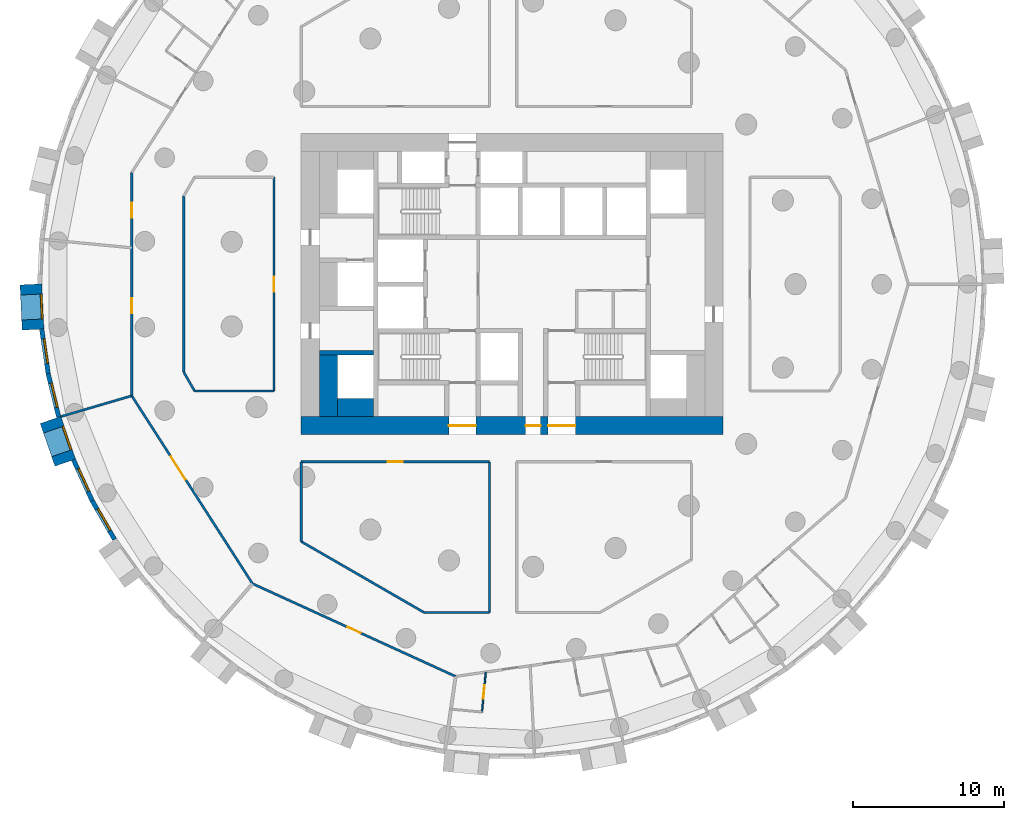
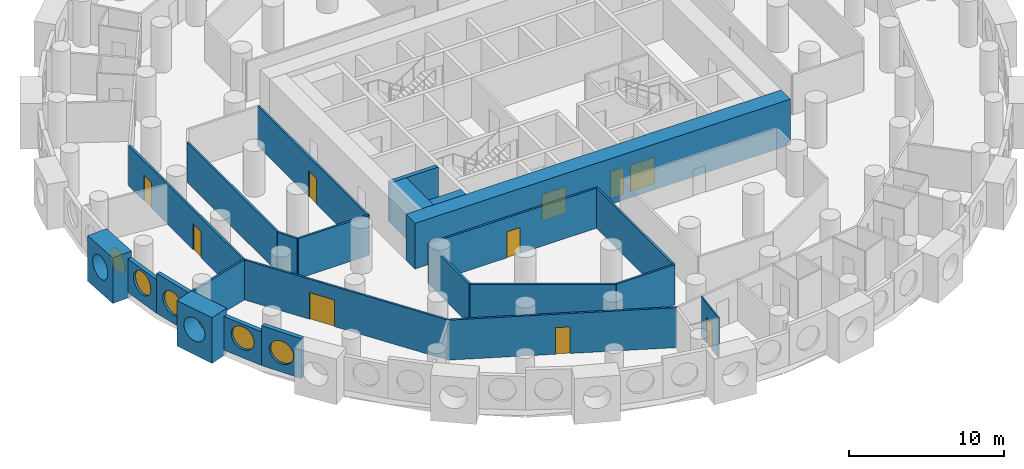
# One storey, part 3 of 11: 24 walls, 10 doors, 6 windows, 16 openings.
"""IFC4 building model written with IfcOpenShell, lengths in metres."""

from ifc_helpers import new_model, si_unit, direction, frame, frame_2d, origin, origin_2d, place, context, subcontext, project, spatial, rectangle, circle, extrude, material, layer, layer_set, type_object, element, fill, save


model = new_model("IFC4")

# Units and contexts
model_context = context("Model", 3, precision=1e-05, world=origin(), true_north=direction((0.0, 1.0)))
body_context = subcontext(model_context, "Body", "Model", "MODEL_VIEW")
ifc_project = project(units=[si_unit("LENGTHUNIT", "METRE"), si_unit("AREAUNIT", "SQUARE_METRE"), si_unit("VOLUMEUNIT", "CUBIC_METRE"), si_unit("PLANEANGLEUNIT", "RADIAN"), si_unit("MASSUNIT", "GRAM", prefix="KILO")], contexts=[model_context])

# Site, building, storey
site_placement = place(None, origin())
site = spatial("IfcSite", under=ifc_project, at=site_placement, CompositionType="ELEMENT")
building_placement = place(site_placement, origin())
building = spatial("IfcBuilding", under=site, at=building_placement, Name="Tracery Tower", CompositionType="ELEMENT")
storey_placement = place(building_placement, frame((0.0, 0.0, 96.60009765625)))
storey = spatial("IfcBuildingStorey", under=building, at=storey_placement, Name="L24", CompositionType="ELEMENT", Elevation=96.60009765625)

# Walls
ifc_material_1 = material(Name="Concrete C60/75", Category="concrete")
ifc_layer_1 = layer(ifc_material_1, 1.199951171875)
ifc_layer_set_1 = layer_set([ifc_layer_1], Name="Core strip wall 1200 C60")
wall_type_1 = type_object("IfcWallType", Name="Core strip wall 1200 C60", PredefinedType="SOLIDWALL", material=ifc_layer_set_1)
wall_1_placement = place(storey_placement, frame((-12.199951171875, -8.800048828125, 0.0), z_axis=(0.0, 0.0, 1.0), x_axis=(0.0, 1.0, 0.0)))
element("IfcWall", 1, at=wall_1_placement, inside=storey, type_object=wall_type_1, Name="L24 wing strip -1 -9.4", PredefinedType="SOLIDWALL", context=body_context, shape_type="SweptSolid", body=[
    extrude(rectangle(XDim=4.10009765625, YDim=1.199951171875, at=frame_2d((2.050048828125, 0.0))), origin(), (0.0, 0.0, 1.0), 3.14990234375),
])
wall_2_placement = place(storey_placement, frame((-11.60009765625, -8.199951171875, 0.0), z_axis=(0.0, 0.0, 1.0), x_axis=(1.0, 0.0, 0.0)))
element("IfcWall", 2, at=wall_2_placement, inside=storey, type_object=wall_type_1, Name="L24 wing corner -1 -8.2", PredefinedType="SOLIDWALL", context=body_context, shape_type="SweptSolid", body=[
    extrude(rectangle(XDim=2.400146484375, YDim=1.199951171875, at=frame_2d((1.2001953125, 0.0))), origin(), (0.0, 0.0, 1.0), 3.14990234375),
])

# Wall, openings, doors
ifc_material_2 = material(Name="Concrete C60/75", Category="concrete")
ifc_layer_2 = layer(ifc_material_2, 1.199951171875)
ifc_layer_set_2 = layer_set([ifc_layer_2], Name="Core wall 1200 C60")
wall_type_2 = type_object("IfcWallType", Name="Core wall 1200 C60", PredefinedType="SOLIDWALL", material=ifc_layer_set_2)
wall_3_placement = place(storey_placement, frame((-14.0, -9.39990234375, 0.0), z_axis=(0.0, 0.0, 1.0), x_axis=(1.0, 0.0, 0.0)))
wall_3 = element("IfcWall", 3, at=wall_3_placement, inside=storey, type_object=wall_type_2, Name="L24 outer S", PredefinedType="SOLIDWALL", context=body_context, shape_type="SweptSolid", body=[
    extrude(rectangle(XDim=28.0, YDim=1.199951171875, at=frame_2d((14.0, 0.0))), origin(), (0.0, 0.0, 1.0), 3.599853515625),
])
opening_1_placement = place(wall_3_placement, frame((14.89990234375, 0.0, 0.0)))
opening_1 = element("IfcOpeningElement", 4, at=opening_1_placement, cuts=wall_3, Name="Opening KD16", PredefinedType="OPENING", context=body_context, shape_type="SweptSolid", body=[
    extrude(rectangle(XDim=1.0, YDim=2.10009765625, at=frame_2d((0.5, 1.050048828125))), frame((0.0, 0.60009765625, 0.0), z_axis=(0.0, -1.0, 0.0), x_axis=(1.0, 0.0, 0.0)), (0.0, 0.0, 1.0), 1.199951171875),
])
opening_2_placement = place(wall_3_placement, frame((9.800048828125, 0.0, 0.0)))
opening_2 = element("IfcOpeningElement", 5, at=opening_2_placement, cuts=wall_3, Name="Opening KD13", PredefinedType="OPENING", context=body_context, shape_type="SweptSolid", body=[
    extrude(rectangle(XDim=1.800048828125, YDim=2.10009765625, at=frame_2d((0.89990234375, 1.050048828125))), frame((0.0, 0.60009765625, 0.0), z_axis=(0.0, -1.0, 0.0), x_axis=(1.0, 0.0, 0.0)), (0.0, 0.0, 1.0), 1.199951171875),
])
opening_3_placement = place(wall_3_placement, frame((16.39990234375, 0.0, 0.0)))
opening_3 = element("IfcOpeningElement", 6, at=opening_3_placement, cuts=wall_3, Name="Opening KD13", PredefinedType="OPENING", context=body_context, shape_type="SweptSolid", body=[
    extrude(rectangle(XDim=1.800048828125, YDim=2.10009765625, at=frame_2d((0.89990234375, 1.050048828125))), frame((0.0, 0.60009765625, 0.0), z_axis=(0.0, -1.0, 0.0), x_axis=(1.0, 0.0, 0.0)), (0.0, 0.0, 1.0), 1.199951171875),
])
ifc_material_3 = material(Name="Steel fire door", Category="steel")
door_type_1 = type_object("IfcDoorType", Name="Core exit door 1000", OperationType="NOTDEFINED", PredefinedType="DOOR", material=ifc_material_3)
door_1_placement = place(opening_1_placement, origin())
door_1 = element("IfcDoor", 7, at=door_1_placement, inside=storey, type_object=door_type_1, Name="Core exit door", OperationType="SINGLE_SWING_LEFT", OverallHeight=2.10009765625, OverallWidth=1.0, PredefinedType="DOOR", context=body_context, shape_type="SweptSolid", body=[
    extrude(rectangle(XDim=1.0, YDim=2.10009765625, at=frame_2d((0.5, 1.050048828125))), frame((0.0, 0.02490234375, 0.0), z_axis=(0.0, -1.0, 0.0), x_axis=(1.0, 0.0, 0.0)), (0.0, 0.0, 1.0), 0.050048828125),
])
fill(opening_1, door_1)
ifc_material_4 = material(Name="Steel fire door", Category="steel")
door_type_2 = type_object("IfcDoorType", Name="Core exit door 1800 double", OperationType="NOTDEFINED", PredefinedType="DOOR", material=ifc_material_4)
door_2_placement = place(opening_2_placement, origin())
door_2 = element("IfcDoor", 8, at=door_2_placement, inside=storey, type_object=door_type_2, Name="Core exit door", OperationType="DOUBLE_DOOR_SINGLE_SWING", OverallHeight=2.10009765625, OverallWidth=1.800048828125, PredefinedType="DOOR", context=body_context, shape_type="SweptSolid", body=[
    extrude(rectangle(XDim=1.800048828125, YDim=2.10009765625, at=frame_2d((0.89990234375, 1.050048828125))), frame((0.0, 0.02490234375, 0.0), z_axis=(0.0, -1.0, 0.0), x_axis=(1.0, 0.0, 0.0)), (0.0, 0.0, 1.0), 0.050048828125),
])
fill(opening_2, door_2)
door_3_placement = place(opening_3_placement, origin())
door_3 = element("IfcDoor", 9, at=door_3_placement, inside=storey, type_object=door_type_2, Name="Core exit door", OperationType="DOUBLE_DOOR_SINGLE_SWING", OverallHeight=2.10009765625, OverallWidth=1.800048828125, PredefinedType="DOOR", context=body_context, shape_type="SweptSolid", body=[
    extrude(rectangle(XDim=1.800048828125, YDim=2.10009765625, at=frame_2d((0.89990234375, 1.050048828125))), frame((0.0, 0.02490234375, 0.0), z_axis=(0.0, -1.0, 0.0), x_axis=(1.0, 0.0, 0.0)), (0.0, 0.0, 1.0), 0.050048828125),
])
fill(opening_3, door_3)

# Wall, opening, window
ifc_material_5 = material(Name="Precast concrete C50/60", Category="concrete")
ifc_layer_3 = layer(ifc_material_5, 1.449951171875)
ifc_layer_set_3 = layer_set([ifc_layer_3], Name="Deep-set bay unit 3000 x 3600, slab edge 450")
wall_type_3 = type_object("IfcWallType", Name="Deep-set bay unit 3000 x 3600, slab edge 450", PredefinedType="ELEMENTEDWALL", material=ifc_layer_set_3)
wall_4_placement = place(storey_placement, frame((-31.94921875, -0.020263671875, -0.4501953125), z_axis=(0.0, 0.0, 1.0), x_axis=(0.047607680889, -0.998866111509, 0.0)))
wall_4 = element("IfcWall", 10, at=wall_4_placement, inside=storey, type_object=wall_type_3, Name="Deep-set bay unit 34 at L24", PredefinedType="ELEMENTEDWALL", context=body_context, shape_type="SweptSolid", body=[
    extrude(rectangle(XDim=3.0, YDim=1.449951171875, at=frame_2d((1.5, 0.0))), origin(), (0.0, 0.0, 1.0), 3.60009765625),
])
opening_4_placement = place(wall_4_placement, frame((1.5, 0.0, 2.0)))
opening_4 = element("IfcOpeningElement", 11, at=opening_4_placement, cuts=wall_4, Name="Opening WN1", PredefinedType="OPENING", context=body_context, shape_type="SweptSolid", body=[
    extrude(circle(Radius=0.9000244140625, at=origin_2d()), frame((0.0, 0.73486328125, 0.0), z_axis=(0.0, -1.0, 0.0), x_axis=(1.0, 0.0, 0.0)), (0.0, 0.0, 1.0), 1.469970703125),
])
ifc_material_6 = material(Name="Aluminium frame with tinted double glazing", Category="aluminium")
window_type = type_object("IfcWindowType", Name="Round window 1800", PartitioningType="SINGLE_PANEL", PredefinedType="WINDOW", material=ifc_material_6)
window_1_placement = place(opening_4_placement, origin())
window_1 = element("IfcWindow", 12, at=window_1_placement, inside=storey, type_object=window_type, Name="Round window 34 at L24", OverallHeight=1.800048828125, OverallWidth=1.800048828125, PartitioningType="SINGLE_PANEL", PredefinedType="WINDOW", context=body_context, shape_type="SweptSolid", body=[
    extrude(circle(Radius=0.9000244140625, at=origin_2d()), frame((0.0, 0.69482421875, 0.0), z_axis=(0.0, -1.0, 0.0), x_axis=(1.0, 0.0, 0.0)), (0.0, 0.0, 1.0), 0.10009765625),
])
fill(opening_4, window_1)

wall_5_placement = place(storey_placement, frame((-30.649169921875, -9.0205078125, -0.4501953125), z_axis=(0.0, 0.0, 1.0), x_axis=(0.327071431777, -0.944999618262, 0.0)))
wall_5 = element("IfcWall", 13, at=wall_5_placement, inside=storey, type_object=wall_type_3, Name="Deep-set bay unit 37 at L24", PredefinedType="ELEMENTEDWALL", context=body_context, shape_type="SweptSolid", body=[
    extrude(rectangle(XDim=3.0, YDim=1.449951171875, at=frame_2d((1.5, 0.0))), origin(), (0.0, 0.0, 1.0), 3.60009765625),
])
opening_5_placement = place(wall_5_placement, frame((1.5, 0.0, 2.0)))
opening_5 = element("IfcOpeningElement", 14, at=opening_5_placement, cuts=wall_5, Name="Opening WN1", PredefinedType="OPENING", context=body_context, shape_type="SweptSolid", body=[
    extrude(circle(Radius=0.9000244140625, at=origin_2d()), frame((0.0, 0.73486328125, 0.0), z_axis=(0.0, -1.0, 0.0), x_axis=(1.0, 0.0, 0.0)), (0.0, 0.0, 1.0), 1.469970703125),
])
window_2_placement = place(opening_5_placement, origin())
window_2 = element("IfcWindow", 15, at=window_2_placement, inside=storey, type_object=window_type, Name="Round window 37 at L24", OverallHeight=1.800048828125, OverallWidth=1.800048828125, PartitioningType="SINGLE_PANEL", PredefinedType="WINDOW", context=body_context, shape_type="SweptSolid", body=[
    extrude(circle(Radius=0.9000244140625, at=origin_2d()), frame((0.0, 0.69482421875, 0.0), z_axis=(0.0, -1.0, 0.0), x_axis=(1.0, 0.0, 0.0)), (0.0, 0.0, 1.0), 0.10009765625),
])
fill(opening_5, window_2)

ifc_material_7 = material(Name="Precast concrete C50/60", Category="concrete")
ifc_layer_4 = layer(ifc_material_7, 0.300048828125)
ifc_layer_set_4 = layer_set([ifc_layer_4], Name="Facade panel 3000 x 2650")
wall_type_4 = type_object("IfcWallType", Name="Facade panel 3000 x 2650", PredefinedType="SOLIDWALL", material=ifc_layer_set_4)
wall_6_placement = place(storey_placement, frame((-31.2314453125, -2.98828125, 0.0), z_axis=(0.0, 0.0, 1.0), x_axis=(0.142315996627, -0.989821275334, 0.0)))
wall_6 = element("IfcWall", 16, at=wall_6_placement, inside=storey, type_object=wall_type_4, Name="Facade panel 35 at L24", PredefinedType="SOLIDWALL", context=body_context, shape_type="SweptSolid", body=[
    extrude(rectangle(XDim=2.979736328125, YDim=0.300048828125, at=frame_2d((1.48974609375, 0.0))), origin(), (0.0, 0.0, 1.0), 2.64990234375),
])
opening_6_placement = place(wall_6_placement, frame((1.48974609375, 0.0, 1.5498046875)))
opening_6 = element("IfcOpeningElement", 17, at=opening_6_placement, cuts=wall_6, Name="Opening WN1", PredefinedType="OPENING", context=body_context, shape_type="SweptSolid", body=[
    extrude(circle(Radius=0.9000244140625, at=origin_2d()), frame((0.0, 0.159912109375, 0.0), z_axis=(0.0, -1.0, 0.0), x_axis=(1.0, 0.0, 0.0)), (0.0, 0.0, 1.0), 0.320068359375),
])
window_3_placement = place(opening_6_placement, origin())
window_3 = element("IfcWindow", 18, at=window_3_placement, inside=storey, type_object=window_type, Name="Round window 35 at L24", OverallHeight=1.800048828125, OverallWidth=1.800048828125, PartitioningType="SINGLE_PANEL", PredefinedType="WINDOW", context=body_context, shape_type="SweptSolid", body=[
    extrude(circle(Radius=0.9000244140625, at=origin_2d()), frame((0.0, 0.1201171875, 0.0), z_axis=(0.0, -1.0, 0.0), x_axis=(1.0, 0.0, 0.0)), (0.0, 0.0, 1.0), 0.10009765625),
])
fill(opening_6, window_3)

wall_7_placement = place(storey_placement, frame((-29.12451171875, -11.666259765625, 0.0), z_axis=(0.0, 0.0, 1.0), x_axis=(0.415407317162, -0.909635509888, 0.0)))
wall_7 = element("IfcWall", 19, at=wall_7_placement, inside=storey, type_object=wall_type_4, Name="Facade panel 38 at L24", PredefinedType="SOLIDWALL", context=body_context, shape_type="SweptSolid", body=[
    extrude(rectangle(XDim=2.979736328125, YDim=0.300048828125, at=frame_2d((1.48974609375, 0.0))), origin(), (0.0, 0.0, 1.0), 2.64990234375),
])
opening_7_placement = place(wall_7_placement, frame((1.48974609375, 0.0, 1.5498046875)))
opening_7 = element("IfcOpeningElement", 20, at=opening_7_placement, cuts=wall_7, Name="Opening WN1", PredefinedType="OPENING", context=body_context, shape_type="SweptSolid", body=[
    extrude(circle(Radius=0.9000244140625, at=origin_2d()), frame((0.0, 0.159912109375, 0.0), z_axis=(0.0, -1.0, 0.0), x_axis=(1.0, 0.0, 0.0)), (0.0, 0.0, 1.0), 0.320068359375),
])
window_4_placement = place(opening_7_placement, origin())
window_4 = element("IfcWindow", 21, at=window_4_placement, inside=storey, type_object=window_type, Name="Round window 38 at L24", OverallHeight=1.800048828125, OverallWidth=1.800048828125, PartitioningType="SINGLE_PANEL", PredefinedType="WINDOW", context=body_context, shape_type="SweptSolid", body=[
    extrude(circle(Radius=0.9000244140625, at=origin_2d()), frame((0.0, 0.1201171875, 0.0), z_axis=(0.0, -1.0, 0.0), x_axis=(1.0, 0.0, 0.0)), (0.0, 0.0, 1.0), 0.10009765625),
])
fill(opening_7, window_4)

ifc_material_8 = material(Name="Precast concrete C50/60", Category="concrete")
ifc_layer_5 = layer(ifc_material_8, 0.300048828125)
ifc_layer_set_5 = layer_set([ifc_layer_5], Name="Facade panel 3000 x 3150")
wall_type_5 = type_object("IfcWallType", Name="Facade panel 3000 x 3150", PredefinedType="SOLIDWALL", material=ifc_layer_set_5)
wall_8_placement = place(storey_placement, frame((-30.807373046875, -5.937744140625, 0.0), z_axis=(0.0, 0.0, 1.0), x_axis=(0.235743081534, -0.971815414319, 0.0)))
wall_8 = element("IfcWall", 22, at=wall_8_placement, inside=storey, type_object=wall_type_5, Name="Facade panel 36 at L24", PredefinedType="SOLIDWALL", context=body_context, shape_type="SweptSolid", body=[
    extrude(rectangle(XDim=2.9794921875, YDim=0.300048828125, at=frame_2d((1.48974609375, 0.0))), origin(), (0.0, 0.0, 1.0), 3.14990234375),
])
opening_8_placement = place(wall_8_placement, frame((1.48974609375, 0.0, 1.5498046875)))
opening_8 = element("IfcOpeningElement", 23, at=opening_8_placement, cuts=wall_8, Name="Opening WN1", PredefinedType="OPENING", context=body_context, shape_type="SweptSolid", body=[
    extrude(circle(Radius=0.9000244140625, at=origin_2d()), frame((0.0, 0.159912109375, 0.0), z_axis=(0.0, -1.0, 0.0), x_axis=(1.0, 0.0, 0.0)), (0.0, 0.0, 1.0), 0.320068359375),
])
window_5_placement = place(opening_8_placement, origin())
window_5 = element("IfcWindow", 24, at=window_5_placement, inside=storey, type_object=window_type, Name="Round window 36 at L24", OverallHeight=1.800048828125, OverallWidth=1.800048828125, PartitioningType="SINGLE_PANEL", PredefinedType="WINDOW", context=body_context, shape_type="SweptSolid", body=[
    extrude(circle(Radius=0.9000244140625, at=origin_2d()), frame((0.0, 0.1201171875, 0.0), z_axis=(0.0, -1.0, 0.0), x_axis=(1.0, 0.0, 0.0)), (0.0, 0.0, 1.0), 0.10009765625),
])
fill(opening_8, window_5)

wall_9_placement = place(storey_placement, frame((-27.88671875, -14.376708984375, 0.0), z_axis=(0.0, 0.0, 1.0), x_axis=(0.499999078476, -0.866025935826, 0.0)))
wall_9 = element("IfcWall", 25, at=wall_9_placement, inside=storey, type_object=wall_type_5, Name="Facade panel 39 at L24", PredefinedType="SOLIDWALL", context=body_context, shape_type="SweptSolid", body=[
    extrude(rectangle(XDim=2.9794921875, YDim=0.300048828125, at=frame_2d((1.48974609375, 0.0))), origin(), (0.0, 0.0, 1.0), 3.14990234375),
])
opening_9_placement = place(wall_9_placement, frame((1.48974609375, 0.0, 1.5498046875)))
opening_9 = element("IfcOpeningElement", 26, at=opening_9_placement, cuts=wall_9, Name="Opening WN1", PredefinedType="OPENING", context=body_context, shape_type="SweptSolid", body=[
    extrude(circle(Radius=0.9000244140625, at=origin_2d()), frame((0.0, 0.159912109375, 0.0), z_axis=(0.0, -1.0, 0.0), x_axis=(1.0, 0.0, 0.0)), (0.0, 0.0, 1.0), 0.320068359375),
])
window_6_placement = place(opening_9_placement, origin())
window_6 = element("IfcWindow", 27, at=window_6_placement, inside=storey, type_object=window_type, Name="Round window 39 at L24", OverallHeight=1.800048828125, OverallWidth=1.800048828125, PartitioningType="SINGLE_PANEL", PredefinedType="WINDOW", context=body_context, shape_type="SweptSolid", body=[
    extrude(circle(Radius=0.9000244140625, at=origin_2d()), frame((0.0, 0.1201171875, 0.0), z_axis=(0.0, -1.0, 0.0), x_axis=(1.0, 0.0, 0.0)), (0.0, 0.0, 1.0), 0.10009765625),
])
fill(opening_9, window_6)

# Wall, opening, door
ifc_material_9 = material(Name="Plasterboard on steel studs", Category="steel")
ifc_layer_6 = layer(ifc_material_9, 0.10009765625)
ifc_layer_set_6 = layer_set([ifc_layer_6], Name="Partition 100 wet wall")
wall_type_6 = type_object("IfcWallType", Name="Partition 100 wet wall", PredefinedType="PARTITIONING", material=ifc_layer_set_6)
wall_10_placement = place(storey_placement, frame((-1.99609375, -28.41796875, 0.0), z_axis=(0.0, 0.0, 1.0), x_axis=(0.094925726797, 0.995484357683, 0.0)))
wall_10 = element("IfcWall", 28, at=wall_10_placement, inside=storey, type_object=wall_type_6, Name="Wet wall RA7-074", PredefinedType="PARTITIONING", context=body_context, shape_type="SweptSolid", body=[
    extrude(rectangle(XDim=2.6669921875, YDim=0.10009765625, at=frame_2d((1.33349609375, 0.0))), origin(), (0.0, 0.0, 1.0), 3.14990234375),
])
opening_10_placement = place(wall_10_placement, frame((0.884033203125, 0.0, 0.0)))
opening_10 = element("IfcOpeningElement", 29, at=opening_10_placement, cuts=wall_10, Name="Opening RA7-27", PredefinedType="OPENING", context=body_context, shape_type="SweptSolid", body=[
    extrude(rectangle(XDim=0.89990234375, YDim=2.0400390625, at=frame_2d((0.449951171875, 1.02001953125))), frame((0.0, 0.050048828125, 0.0), z_axis=(0.0, -1.0, 0.0), x_axis=(1.0, 0.0, 0.0)), (0.0, 0.0, 1.0), 0.10009765625),
])
ifc_material_10 = material(Name="Timber door leaf", Category="wood")
door_type_3 = type_object("IfcDoorType", Name="Door en-suite 900", OperationType="NOTDEFINED", PredefinedType="DOOR", material=ifc_material_10)
door_4_placement = place(opening_10_placement, origin())
door_4 = element("IfcDoor", 30, at=door_4_placement, inside=storey, type_object=door_type_3, Name="En-suite door RA7-27", OperationType="SINGLE_SWING_RIGHT", OverallHeight=2.0400390625, OverallWidth=0.89990234375, PredefinedType="DOOR", context=body_context, shape_type="SweptSolid", body=[
    extrude(rectangle(XDim=0.89990234375, YDim=2.0400390625, at=frame_2d((0.449951171875, 1.02001953125))), frame((0.0, 0.02490234375, 0.0), z_axis=(0.0, -1.0, 0.0), x_axis=(1.0, 0.0, 0.0)), (0.0, 0.0, 1.0), 0.050048828125),
])
fill(opening_10, door_4)

# Wall
ifc_material_11 = material(Name="Plasterboard on steel studs", Category="steel")
ifc_layer_7 = layer(ifc_material_11, 0.14990234375)
ifc_layer_set_7 = layer_set([ifc_layer_7], Name="Partition 150 acoustic unit wall")
wall_type_7 = type_object("IfcWallType", Name="Partition 150 acoustic unit wall", PredefinedType="PARTITIONING", material=ifc_layer_set_7)
wall_11_placement = place(storey_placement, frame((-29.958984375, -8.797119140625, 0.0), z_axis=(0.0, 0.0, 1.0), x_axis=(0.959478767209, 0.281780934902, 0.0)))
element("IfcWall", 31, at=wall_11_placement, inside=storey, type_object=wall_type_7, Name="Unit wall RA7-070", PredefinedType="PARTITIONING", context=body_context, shape_type="SweptSolid", body=[
    extrude(rectangle(XDim=4.90478515625, YDim=0.14990234375, at=frame_2d((2.452392578125, 0.0))), origin(), (0.0, 0.0, 1.0), 3.14990234375),
])

# Wall, opening, door
ifc_material_12 = material(Name="Plasterboard on steel studs", Category="steel")
ifc_layer_8 = layer(ifc_material_12, 0.14990234375)
ifc_layer_set_8 = layer_set([ifc_layer_8], Name="Partition 150 corridor wall")
wall_type_8 = type_object("IfcWallType", Name="Partition 150 corridor wall", PredefinedType="PARTITIONING", material=ifc_layer_set_8)
wall_12_placement = place(storey_placement, frame((-14.00390625, -11.800048828125, 0.0), z_axis=(0.0, 0.0, 1.0), x_axis=(1.0, 0.0, 0.0)))
wall_12 = element("IfcWall", 32, at=wall_12_placement, inside=storey, type_object=wall_type_8, Name="Corridor wall RA7-003", PredefinedType="PARTITIONING", context=body_context, shape_type="SweptSolid", body=[
    extrude(rectangle(XDim=12.517822265625, YDim=0.14990234375, at=frame_2d((6.2587890625, 0.0))), origin(), (0.0, 0.0, 1.0), 3.14990234375),
])
opening_11_placement = place(wall_12_placement, frame((5.759033203125, 0.0, 0.0)))
opening_11 = element("IfcOpeningElement", 33, at=opening_11_placement, cuts=wall_12, Name="Opening RA7-03", PredefinedType="OPENING", context=body_context, shape_type="SweptSolid", body=[
    extrude(rectangle(XDim=1.0, YDim=2.0400390625, at=frame_2d((0.5, 1.02001953125))), frame((0.0, 0.074951171875, 0.0), z_axis=(0.0, -1.0, 0.0), x_axis=(1.0, 0.0, 0.0)), (0.0, 0.0, 1.0), 0.14990234375),
])
ifc_material_13 = material(Name="Timber door leaf", Category="wood")
door_type_4 = type_object("IfcDoorType", Name="Door communal room 1000", OperationType="NOTDEFINED", PredefinedType="DOOR", material=ifc_material_13)
door_5_placement = place(opening_11_placement, origin())
door_5 = element("IfcDoor", 34, at=door_5_placement, inside=storey, type_object=door_type_4, Name="Communal room door RA7-03", OperationType="SINGLE_SWING_RIGHT", OverallHeight=2.0400390625, OverallWidth=1.0, PredefinedType="DOOR", context=body_context, shape_type="SweptSolid", body=[
    extrude(rectangle(XDim=1.0, YDim=2.0400390625, at=frame_2d((0.5, 1.02001953125))), frame((0.0, 0.02490234375, 0.0), z_axis=(0.0, -1.0, 0.0), x_axis=(1.0, 0.0, 0.0)), (0.0, 0.0, 1.0), 0.050048828125),
])
fill(opening_11, door_5)

wall_13_placement = place(storey_placement, frame((-15.800048828125, -7.10400390625, 0.0), z_axis=(0.0, 0.0, 1.0), x_axis=(0.0, 1.0, 0.0)))
wall_13 = element("IfcWall", 35, at=wall_13_placement, inside=storey, type_object=wall_type_8, Name="Corridor wall RA7-006", PredefinedType="PARTITIONING", context=body_context, shape_type="SweptSolid", body=[
    extrude(rectangle(XDim=14.2080078125, YDim=0.14990234375, at=frame_2d((7.10400390625, 0.0))), origin(), (0.0, 0.0, 1.0), 3.14990234375),
])
opening_12_placement = place(wall_13_placement, frame((6.60400390625, 0.0, 0.0)))
opening_12 = element("IfcOpeningElement", 36, at=opening_12_placement, cuts=wall_13, Name="Opening RA7-06", PredefinedType="OPENING", context=body_context, shape_type="SweptSolid", body=[
    extrude(rectangle(XDim=1.0, YDim=2.0400390625, at=frame_2d((0.5, 1.02001953125))), frame((0.0, 0.074951171875, 0.0), z_axis=(0.0, -1.0, 0.0), x_axis=(1.0, 0.0, 0.0)), (0.0, 0.0, 1.0), 0.14990234375),
])
door_6_placement = place(opening_12_placement, origin())
door_6 = element("IfcDoor", 37, at=door_6_placement, inside=storey, type_object=door_type_4, Name="Communal room door RA7-06", OperationType="SINGLE_SWING_RIGHT", OverallHeight=2.0400390625, OverallWidth=1.0, PredefinedType="DOOR", context=body_context, shape_type="SweptSolid", body=[
    extrude(rectangle(XDim=1.0, YDim=2.0400390625, at=frame_2d((0.5, 1.02001953125))), frame((0.0, 0.02490234375, 0.0), z_axis=(0.0, -1.0, 0.0), x_axis=(1.0, 0.0, 0.0)), (0.0, 0.0, 1.0), 0.050048828125),
])
fill(opening_12, door_6)

# Walls
wall_14_placement = place(storey_placement, frame((-14.0, -17.092041015625, 0.0), z_axis=(0.0, 0.0, 1.0), x_axis=(0.0, 1.0, 0.0)))
element("IfcWall", 38, at=wall_14_placement, inside=storey, type_object=wall_type_8, Name="Corridor wall RA7-027", PredefinedType="PARTITIONING", context=body_context, shape_type="SweptSolid", body=[
    extrude(rectangle(XDim=5.2919921875, YDim=0.14990234375, at=frame_2d((2.64599609375, 0.0))), origin(), (0.0, 0.0, 1.0), 3.14990234375),
])
wall_15_placement = place(storey_placement, frame((-21.802001953125, -5.842041015625, 0.0), z_axis=(0.0, 0.0, 1.0), x_axis=(0.0, 1.0, 0.0)))
element("IfcWall", 39, at=wall_15_placement, inside=storey, type_object=wall_type_8, Name="Corridor wall RA7-030", PredefinedType="PARTITIONING", context=body_context, shape_type="SweptSolid", body=[
    extrude(rectangle(XDim=11.68408203125, YDim=0.14990234375, at=frame_2d((5.842041015625, 0.0))), origin(), (0.0, 0.0, 1.0), 3.14990234375),
])
wall_16_placement = place(storey_placement, frame((-21.802001953125, -5.842041015625, 0.0), z_axis=(0.0, 0.0, 1.0), x_axis=(0.499863102386, -0.866104427234, 0.0)))
element("IfcWall", 40, at=wall_16_placement, inside=storey, type_object=wall_type_8, Name="Corridor wall RA7-031", PredefinedType="PARTITIONING", context=body_context, shape_type="SweptSolid", body=[
    extrude(rectangle(XDim=1.45263671875, YDim=0.14990234375, at=frame_2d((0.726318359375, 0.0))), origin(), (0.0, 0.0, 1.0), 3.14990234375),
])
wall_17_placement = place(storey_placement, frame((-21.075927734375, -7.10009765625, 0.0), z_axis=(0.0, 0.0, 1.0), x_axis=(1.0, 0.0, 0.0)))
element("IfcWall", 41, at=wall_17_placement, inside=storey, type_object=wall_type_8, Name="Corridor wall RA7-032", PredefinedType="PARTITIONING", context=body_context, shape_type="SweptSolid", body=[
    extrude(rectangle(XDim=5.27587890625, YDim=0.14990234375, at=frame_2d((2.637939453125, 0.0))), origin(), (0.0, 0.0, 1.0), 3.14990234375),
])

# Wall, openings, doors
wall_18_placement = place(storey_placement, frame((-25.2529296875, -7.4150390625, 0.0), z_axis=(0.0, 0.0, 1.0), x_axis=(0.0, 1.0, 0.0)))
wall_18 = element("IfcWall", 42, at=wall_18_placement, inside=storey, type_object=wall_type_8, Name="Corridor wall RA7-034", PredefinedType="PARTITIONING", context=body_context, shape_type="SweptSolid", body=[
    extrude(rectangle(XDim=14.830078125, YDim=0.14990234375, at=frame_2d((7.4150390625, 0.0))), origin(), (0.0, 0.0, 1.0), 3.14990234375),
])
opening_13_placement = place(wall_18_placement, frame((11.825927734375, 0.0, 0.0)))
opening_13 = element("IfcOpeningElement", 43, at=opening_13_placement, cuts=wall_18, Name="Opening RA7-23", PredefinedType="OPENING", context=body_context, shape_type="SweptSolid", body=[
    extrude(rectangle(XDim=1.0, YDim=2.0400390625, at=frame_2d((0.5, 1.02001953125))), frame((0.0, 0.074951171875, 0.0), z_axis=(0.0, -1.0, 0.0), x_axis=(1.0, 0.0, 0.0)), (0.0, 0.0, 1.0), 0.14990234375),
])
opening_14_placement = place(wall_18_placement, frame((5.465087890625, 0.0, 0.0)))
opening_14 = element("IfcOpeningElement", 44, at=opening_14_placement, cuts=wall_18, Name="Opening RA7-24", PredefinedType="OPENING", context=body_context, shape_type="SweptSolid", body=[
    extrude(rectangle(XDim=1.0, YDim=2.0400390625, at=frame_2d((0.5, 1.02001953125))), frame((0.0, 0.074951171875, 0.0), z_axis=(0.0, -1.0, 0.0), x_axis=(1.0, 0.0, 0.0)), (0.0, 0.0, 1.0), 0.14990234375),
])
door_7_placement = place(opening_13_placement, origin())
door_7 = element("IfcDoor", 45, at=door_7_placement, inside=storey, type_object=door_type_4, Name="Communal room door RA7-23", OperationType="SINGLE_SWING_RIGHT", OverallHeight=2.0400390625, OverallWidth=1.0, PredefinedType="DOOR", context=body_context, shape_type="SweptSolid", body=[
    extrude(rectangle(XDim=1.0, YDim=2.0400390625, at=frame_2d((0.5, 1.02001953125))), frame((0.0, 0.02490234375, 0.0), z_axis=(0.0, -1.0, 0.0), x_axis=(1.0, 0.0, 0.0)), (0.0, 0.0, 1.0), 0.050048828125),
])
fill(opening_13, door_7)
door_8_placement = place(opening_14_placement, origin())
door_8 = element("IfcDoor", 46, at=door_8_placement, inside=storey, type_object=door_type_4, Name="Communal room door RA7-24", OperationType="SINGLE_SWING_RIGHT", OverallHeight=2.0400390625, OverallWidth=1.0, PredefinedType="DOOR", context=body_context, shape_type="SweptSolid", body=[
    extrude(rectangle(XDim=1.0, YDim=2.0400390625, at=frame_2d((0.5, 1.02001953125))), frame((0.0, 0.02490234375, 0.0), z_axis=(0.0, -1.0, 0.0), x_axis=(1.0, 0.0, 0.0)), (0.0, 0.0, 1.0), 0.050048828125),
])
fill(opening_14, door_8)

# Wall, opening, door
wall_19_placement = place(storey_placement, frame((-25.2529296875, -7.4150390625, 0.0), z_axis=(0.0, 0.0, 1.0), x_axis=(0.540656073354, -0.841243728265, 0.0)))
wall_19 = element("IfcWall", 47, at=wall_19_placement, inside=storey, type_object=wall_type_8, Name="Corridor wall RA7-035", PredefinedType="PARTITIONING", context=body_context, shape_type="SweptSolid", body=[
    extrude(rectangle(XDim=14.829345703125, YDim=0.14990234375, at=frame_2d((7.41455078125, 0.0))), origin(), (0.0, 0.0, 1.0), 3.14990234375),
])
opening_15_placement = place(wall_19_placement, frame((4.80419921875, 0.0, 0.0)))
opening_15 = element("IfcOpeningElement", 48, at=opening_15_placement, cuts=wall_19, Name="Opening RA7-25", PredefinedType="OPENING", context=body_context, shape_type="SweptSolid", body=[
    extrude(rectangle(XDim=1.800048828125, YDim=2.10009765625, at=frame_2d((0.89990234375, 1.050048828125))), frame((0.0, 0.074951171875, 0.0), z_axis=(0.0, -1.0, 0.0), x_axis=(1.0, 0.0, 0.0)), (0.0, 0.0, 1.0), 0.14990234375),
])
ifc_material_14 = material(Name="Timber door leaf", Category="wood")
door_type_5 = type_object("IfcDoorType", Name="Door double lounge 1800", OperationType="NOTDEFINED", PredefinedType="DOOR", material=ifc_material_14)
door_9_placement = place(opening_15_placement, origin())
door_9 = element("IfcDoor", 49, at=door_9_placement, inside=storey, type_object=door_type_5, Name="Double lounge door RA7-25", OperationType="DOUBLE_DOOR_SINGLE_SWING", OverallHeight=2.10009765625, OverallWidth=1.800048828125, PredefinedType="DOOR", context=body_context, shape_type="SweptSolid", body=[
    extrude(rectangle(XDim=1.800048828125, YDim=2.10009765625, at=frame_2d((0.89990234375, 1.050048828125))), frame((0.0, 0.02490234375, 0.0), z_axis=(0.0, -1.0, 0.0), x_axis=(1.0, 0.0, 0.0)), (0.0, 0.0, 1.0), 0.050048828125),
])
fill(opening_15, door_9)

# Walls
wall_20_placement = place(storey_placement, frame((-14.0, -17.092041015625, 0.0), z_axis=(0.0, 0.0, 1.0), x_axis=(0.86602719091, -0.499996904595, 0.0)))
element("IfcWall", 50, at=wall_20_placement, inside=storey, type_object=wall_type_8, Name="Corridor wall RA7-036", PredefinedType="PARTITIONING", context=body_context, shape_type="SweptSolid", body=[
    extrude(rectangle(XDim=9.419921875, YDim=0.14990234375, at=frame_2d((4.7099609375, 0.0))), origin(), (0.0, 0.0, 1.0), 3.14990234375),
])
wall_21_placement = place(storey_placement, frame((-5.842041015625, -21.802001953125, 0.0), z_axis=(0.0, 0.0, 1.0), x_axis=(1.0, 0.0, 0.0)))
element("IfcWall", 51, at=wall_21_placement, inside=storey, type_object=wall_type_8, Name="Corridor wall RA7-037", PredefinedType="PARTITIONING", context=body_context, shape_type="SweptSolid", body=[
    extrude(rectangle(XDim=4.35205078125, YDim=0.14990234375, at=frame_2d((2.176025390625, 0.0))), origin(), (0.0, 0.0, 1.0), 3.14990234375),
])
wall_22_placement = place(storey_placement, frame((-1.489990234375, -21.802001953125, 0.0), z_axis=(0.0, 0.0, 1.0), x_axis=(0.0, 1.0, 0.0)))
element("IfcWall", 52, at=wall_22_placement, inside=storey, type_object=wall_type_8, Name="Corridor wall RA7-038", PredefinedType="PARTITIONING", context=body_context, shape_type="SweptSolid", body=[
    extrude(rectangle(XDim=10.001953125, YDim=0.14990234375, at=frame_2d((5.0009765625, 0.0))), origin(), (0.0, 0.0, 1.0), 3.14990234375),
])

# Wall, opening, door
wall_23_placement = place(storey_placement, frame((-17.235107421875, -19.889892578125, 0.0), z_axis=(0.0, 0.0, 1.0), x_axis=(0.90960889055, -0.415465601743, 0.0)))
wall_23 = element("IfcWall", 53, at=wall_23_placement, inside=storey, type_object=wall_type_8, Name="Corridor wall RA7-043", PredefinedType="PARTITIONING", context=body_context, shape_type="SweptSolid", body=[
    extrude(rectangle(XDim=14.829345703125, YDim=0.14990234375, at=frame_2d((7.41455078125, 0.0))), origin(), (0.0, 0.0, 1.0), 3.14990234375),
])
opening_16_placement = place(wall_23_placement, frame((6.939453125, 0.0, 0.0)))
opening_16 = element("IfcOpeningElement", 54, at=opening_16_placement, cuts=wall_23, Name="Opening RA7-26", PredefinedType="OPENING", context=body_context, shape_type="SweptSolid", body=[
    extrude(rectangle(XDim=0.949951171875, YDim=2.10009765625, at=frame_2d((0.47509765625, 1.050048828125))), frame((0.0, 0.074951171875, 0.0), z_axis=(0.0, -1.0, 0.0), x_axis=(1.0, 0.0, 0.0)), (0.0, 0.0, 1.0), 0.14990234375),
])
ifc_material_15 = material(Name="Timber door leaf", Category="wood")
door_type_6 = type_object("IfcDoorType", Name="Door store 950", OperationType="NOTDEFINED", PredefinedType="DOOR", material=ifc_material_15)
door_10_placement = place(opening_16_placement, origin())
door_10 = element("IfcDoor", 55, at=door_10_placement, inside=storey, type_object=door_type_6, Name="Store door RA7-26", OperationType="SINGLE_SWING_RIGHT", OverallHeight=2.10009765625, OverallWidth=0.949951171875, PredefinedType="DOOR", context=body_context, shape_type="SweptSolid", body=[
    extrude(rectangle(XDim=0.949951171875, YDim=2.10009765625, at=frame_2d((0.47509765625, 1.050048828125))), frame((0.0, 0.02490234375, 0.0), z_axis=(0.0, -1.0, 0.0), x_axis=(1.0, 0.0, 0.0)), (0.0, 0.0, 1.0), 0.050048828125),
])
fill(opening_16, door_10)

# Wall
ifc_material_16 = material(Name="Concrete C60/75", Category="concrete")
ifc_layer_9 = layer(ifc_material_16, 0.300048828125)
ifc_layer_set_9 = layer_set([ifc_layer_9], Name="Shaft wall 300 C60")
wall_type_9 = type_object("IfcWallType", Name="Shaft wall 300 C60", PredefinedType="SOLIDWALL", material=ifc_layer_set_9)
wall_24_placement = place(storey_placement, frame((-12.800048828125, -4.550048828125, 0.0), z_axis=(0.0, 0.0, 1.0), x_axis=(1.0, 0.0, 0.0)))
element("IfcWall", 56, at=wall_24_placement, inside=storey, type_object=wall_type_9, Name="L24 wing shaft wall -1 -4.55", PredefinedType="SOLIDWALL", context=body_context, shape_type="SweptSolid", body=[
    extrude(rectangle(XDim=3.60009765625, YDim=0.300048828125, at=frame_2d((1.800048828125, 0.0))), origin(), (0.0, 0.0, 1.0), 3.14990234375),
])

save(model, "model.ifc")
